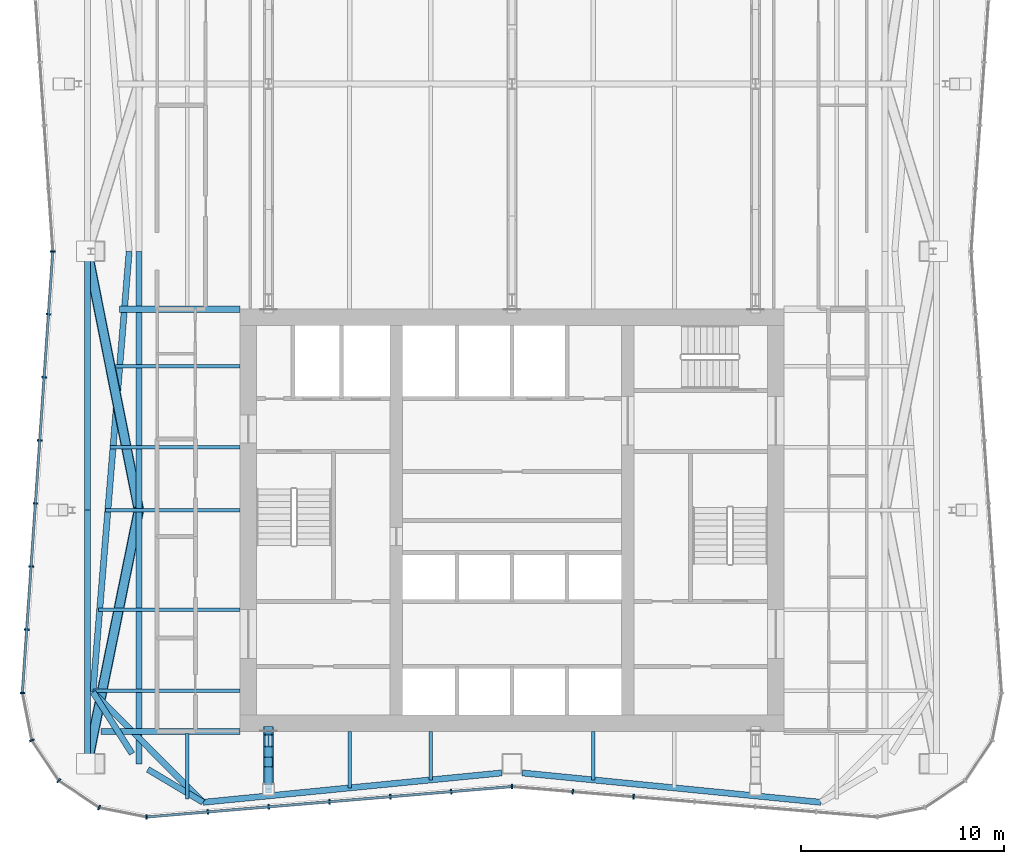
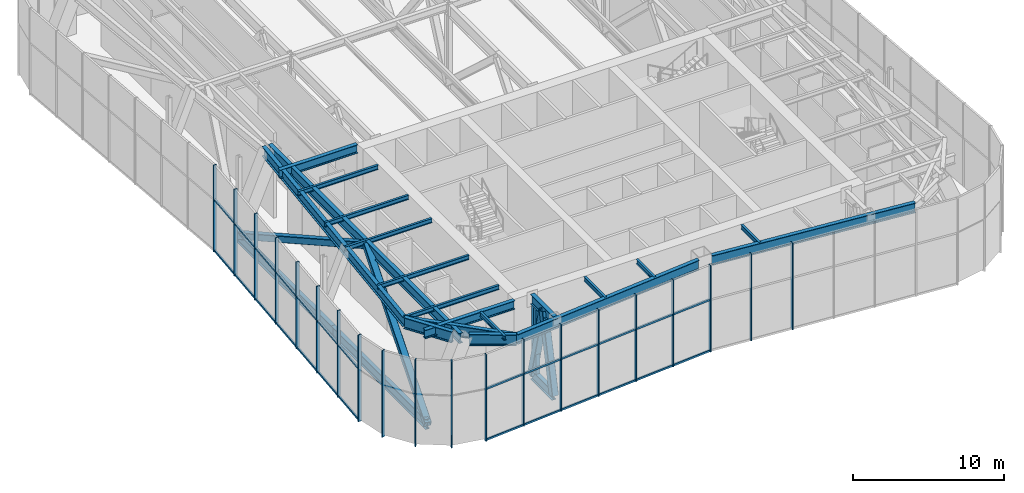
# One storey, part 5 of 17: 35 members, 17 beams, 3 elements without a shape of their own.
"""IFC4 building model written with IfcOpenShell, lengths in metres."""

from ifc_helpers import new_model, si_unit, direction, frame, origin, origin_2d, place, context, subcontext, project, spatial, rectangle, hollow_rectangle, i_section, extrude, material, material_profile, profile_set, type_object, element, aggregate, save


model = new_model("IFC4")

# Units and contexts
model_context = context("Model", 3, precision=1e-05, world=origin(), true_north=direction((0.0, 1.0)))
body_context = subcontext(model_context, "Body", "Model", "MODEL_VIEW")
ifc_project = project(units=[si_unit("LENGTHUNIT", "METRE"), si_unit("AREAUNIT", "SQUARE_METRE"), si_unit("VOLUMEUNIT", "CUBIC_METRE"), si_unit("PLANEANGLEUNIT", "RADIAN"), si_unit("MASSUNIT", "GRAM", prefix="KILO")], contexts=[model_context])

# Site, building, storey
site_placement = place(None, origin())
site = spatial("IfcSite", under=ifc_project, at=site_placement, CompositionType="ELEMENT")
building_placement = place(site_placement, origin())
building = spatial("IfcBuilding", under=site, at=building_placement, Name="Verdant Reach Tower", CompositionType="ELEMENT")
storey_placement = place(building_placement, frame((0.0, 0.0, 282.0)))
storey = spatial("IfcBuildingStorey", under=building, at=storey_placement, Name="L65 Plant", CompositionType="ELEMENT", Elevation=282.0)

# Curtain wall, members
ifc_material_1 = material(Name="Anodised aluminium", Category="aluminium")
curtain_wall_type = type_object("IfcCurtainWallType", Name="EN-CW SYSTEM PLANT", PredefinedType="NOTDEFINED", material=ifc_material_1)
curtain_wall_1_placement = place(storey_placement, origin())
curtain_wall_1 = element("IfcCurtainWall", 1, at=curtain_wall_1_placement, inside=storey, type_object=curtain_wall_type, Name="Curtain wall west, L65", PredefinedType="NOTDEFINED")
ifc_material_profile_1 = material_profile(ifc_material_1, rectangle(XDim=0.238037109375, YDim=0.080078125, at=origin_2d()), Name="Mullion 80x240")
ifc_profile_set_1 = profile_set([ifc_material_profile_1], Name="Anodised aluminium")
member_type_1 = type_object("IfcMemberType", Name="EN-MULLION PLANT", PredefinedType="MULLION", material=ifc_profile_set_1)
member_1_placement = place(storey_placement, frame((-22.618896484375, 41.25, -0.35009765625), z_axis=(0.0, 0.0, 1.0), x_axis=(-1.0, 0.0, 0.0)))
member_1 = element("IfcMember", 2, at=member_1_placement, type_object=member_type_1, Name="Mullion west face part 2 1, L65", PredefinedType="MULLION", context=body_context, shape_type="SweptSolid", body=[
    extrude(rectangle(XDim=0.238037109375, YDim=0.080078125, at=origin_2d()), origin(), (0.0, 0.0, 1.0), 7.0),
])
member_2_placement = place(storey_placement, frame((-22.8330078125, 38.151123046875, -0.35009765625), z_axis=(0.0, 0.0, 1.0), x_axis=(-0.997630328423, 0.068802091615, 0.0)))
member_2 = element("IfcMember", 3, at=member_2_placement, type_object=member_type_1, Name="Mullion west face part 2 2, L65", PredefinedType="MULLION", context=body_context, shape_type="SweptSolid", body=[
    extrude(rectangle(XDim=0.238037109375, YDim=0.080078125, at=origin_2d()), origin(), (0.0, 0.0, 1.0), 7.0),
])
member_3_placement = place(storey_placement, frame((-23.04736328125, 35.0439453125, -0.35009765625), z_axis=(0.0, 0.0, 1.0), x_axis=(-0.997630328423, 0.068802091615, 0.0)))
member_3 = element("IfcMember", 4, at=member_3_placement, type_object=member_type_1, Name="Mullion west face part 2 3, L65", PredefinedType="MULLION", context=body_context, shape_type="SweptSolid", body=[
    extrude(rectangle(XDim=0.238037109375, YDim=0.080078125, at=origin_2d()), origin(), (0.0, 0.0, 1.0), 7.0),
])
member_4_placement = place(storey_placement, frame((-23.261474609375, 31.936767578125, -0.35009765625), z_axis=(0.0, 0.0, 1.0), x_axis=(-0.997630328423, 0.068802091615, 0.0)))
member_4 = element("IfcMember", 5, at=member_4_placement, type_object=member_type_1, Name="Mullion west face part 2 4, L65", PredefinedType="MULLION", context=body_context, shape_type="SweptSolid", body=[
    extrude(rectangle(XDim=0.238037109375, YDim=0.080078125, at=origin_2d()), origin(), (0.0, 0.0, 1.0), 7.0),
])
member_5_placement = place(storey_placement, frame((-23.475830078125, 28.82958984375, -0.35009765625), z_axis=(0.0, 0.0, 1.0), x_axis=(-0.997630328423, 0.068802091615, 0.0)))
member_5 = element("IfcMember", 6, at=member_5_placement, type_object=member_type_1, Name="Mullion west face part 2 5, L65", PredefinedType="MULLION", context=body_context, shape_type="SweptSolid", body=[
    extrude(rectangle(XDim=0.238037109375, YDim=0.080078125, at=origin_2d()), origin(), (0.0, 0.0, 1.0), 7.0),
])
member_6_placement = place(storey_placement, frame((-23.690185546875, 25.722412109375, -0.35009765625), z_axis=(0.0, 0.0, 1.0), x_axis=(-0.997630328423, 0.068802091615, 0.0)))
member_6 = element("IfcMember", 7, at=member_6_placement, type_object=member_type_1, Name="Mullion west face part 2 6, L65", PredefinedType="MULLION", context=body_context, shape_type="SweptSolid", body=[
    extrude(rectangle(XDim=0.238037109375, YDim=0.080078125, at=origin_2d()), origin(), (0.0, 0.0, 1.0), 7.0),
])
member_7_placement = place(storey_placement, frame((-23.904541015625, 22.615234375, -0.35009765625), z_axis=(0.0, 0.0, 1.0), x_axis=(-0.997630328423, 0.068802091615, 0.0)))
member_7 = element("IfcMember", 8, at=member_7_placement, type_object=member_type_1, Name="Mullion west face part 2 7, L65", PredefinedType="MULLION", context=body_context, shape_type="SweptSolid", body=[
    extrude(rectangle(XDim=0.238037109375, YDim=0.080078125, at=origin_2d()), origin(), (0.0, 0.0, 1.0), 7.0),
])

curtain_wall_2_placement = place(storey_placement, origin())
curtain_wall_2 = element("IfcCurtainWall", 9, at=curtain_wall_2_placement, inside=storey, type_object=curtain_wall_type, Name="Curtain wall south-west corner, L65", PredefinedType="NOTDEFINED")
member_8_placement = place(storey_placement, frame((-24.11865234375, 19.492431640625, -0.35009765625), z_axis=(0.0, 0.0, 1.0), x_axis=(-0.997969180898, -0.063698618332, 0.0)))
member_8 = element("IfcMember", 10, at=member_8_placement, type_object=member_type_1, Name="Mullion south-west corner 1, L65", PredefinedType="MULLION", context=body_context, shape_type="SweptSolid", body=[
    extrude(rectangle(XDim=0.238037109375, YDim=0.080078125, at=origin_2d()), origin(), (0.0, 0.0, 1.0), 7.0),
])
member_9_placement = place(storey_placement, frame((-23.6533203125, 17.158447265625, -0.35009765625), z_axis=(0.0, 0.0, 1.0), x_axis=(-0.923875215753, -0.382693853776, 0.0)))
member_9 = element("IfcMember", 11, at=member_9_placement, type_object=member_type_1, Name="Mullion south-west corner 2, L65", PredefinedType="MULLION", context=body_context, shape_type="SweptSolid", body=[
    extrude(rectangle(XDim=0.238037109375, YDim=0.080078125, at=origin_2d()), origin(), (0.0, 0.0, 1.0), 7.0),
])
member_10_placement = place(storey_placement, frame((-22.32666015625, 15.17333984375, -0.35009765625), z_axis=(0.0, 0.0, 1.0), x_axis=(-0.707106781187, -0.707106781187, 0.0)))
member_10 = element("IfcMember", 12, at=member_10_placement, type_object=member_type_1, Name="Mullion south-west corner 3, L65", PredefinedType="MULLION", context=body_context, shape_type="SweptSolid", body=[
    extrude(rectangle(XDim=0.238037109375, YDim=0.080078125, at=origin_2d()), origin(), (0.0, 0.0, 1.0), 7.0),
])
member_11_placement = place(storey_placement, frame((-20.341552734375, 13.8466796875, -0.35009765625), z_axis=(0.0, 0.0, 1.0), x_axis=(-0.382693853776, -0.923875215753, 0.0)))
member_11 = element("IfcMember", 13, at=member_11_placement, type_object=member_type_1, Name="Mullion south-west corner 4, L65", PredefinedType="MULLION", context=body_context, shape_type="SweptSolid", body=[
    extrude(rectangle(XDim=0.238037109375, YDim=0.080078125, at=origin_2d()), origin(), (0.0, 0.0, 1.0), 7.0),
])
aggregate(curtain_wall_2, [member_8, member_9, member_10, member_11])

curtain_wall_3_placement = place(storey_placement, origin())
curtain_wall_3 = element("IfcCurtainWall", 14, at=curtain_wall_3_placement, inside=storey, type_object=curtain_wall_type, Name="Curtain wall south, L65", PredefinedType="NOTDEFINED")
member_12_placement = place(storey_placement, frame((-18.0068359375, 13.381103515625, -0.35009765625), z_axis=(0.0, 0.0, 1.0), x_axis=(-0.056569187765, -0.998398681387, 0.0)))
member_12 = element("IfcMember", 15, at=member_12_placement, type_object=member_type_1, Name="Mullion south face part 1 1, L65", PredefinedType="MULLION", context=body_context, shape_type="SweptSolid", body=[
    extrude(rectangle(XDim=0.238037109375, YDim=0.080078125, at=origin_2d()), origin(), (0.0, 0.0, 1.0), 7.0),
])
member_13_placement = place(storey_placement, frame((-14.990234375, 13.63134765625, -0.35009765625), z_axis=(0.0, 0.0, 1.0), x_axis=(0.083045479859, -0.996545758244, 0.0)))
member_13 = element("IfcMember", 16, at=member_13_placement, type_object=member_type_1, Name="Mullion south face part 1 2, L65", PredefinedType="MULLION", context=body_context, shape_type="SweptSolid", body=[
    extrude(rectangle(XDim=0.238037109375, YDim=0.080078125, at=origin_2d()), origin(), (0.0, 0.0, 1.0), 7.0),
])
member_14_placement = place(storey_placement, frame((-11.990234375, 13.88134765625, -0.35009765625), z_axis=(0.0, 0.0, 1.0), x_axis=(0.083045479859, -0.996545758244, 0.0)))
member_14 = element("IfcMember", 17, at=member_14_placement, type_object=member_type_1, Name="Mullion south face part 1 3, L65", PredefinedType="MULLION", context=body_context, shape_type="SweptSolid", body=[
    extrude(rectangle(XDim=0.238037109375, YDim=0.080078125, at=origin_2d()), origin(), (0.0, 0.0, 1.0), 7.0),
])
member_15_placement = place(storey_placement, frame((-8.990234375, 14.13134765625, -0.35009765625), z_axis=(0.0, 0.0, 1.0), x_axis=(0.083045479859, -0.996545758244, 0.0)))
member_15 = element("IfcMember", 18, at=member_15_placement, type_object=member_type_1, Name="Mullion south face part 1 4, L65", PredefinedType="MULLION", context=body_context, shape_type="SweptSolid", body=[
    extrude(rectangle(XDim=0.238037109375, YDim=0.080078125, at=origin_2d()), origin(), (0.0, 0.0, 1.0), 7.0),
])
member_16_placement = place(storey_placement, frame((-5.990234375, 14.38134765625, -0.35009765625), z_axis=(0.0, 0.0, 1.0), x_axis=(0.083045479859, -0.996545758244, 0.0)))
member_16 = element("IfcMember", 19, at=member_16_placement, type_object=member_type_1, Name="Mullion south face part 1 5, L65", PredefinedType="MULLION", context=body_context, shape_type="SweptSolid", body=[
    extrude(rectangle(XDim=0.238037109375, YDim=0.080078125, at=origin_2d()), origin(), (0.0, 0.0, 1.0), 7.0),
])
member_17_placement = place(storey_placement, frame((-2.990234375, 14.63134765625, -0.35009765625), z_axis=(0.0, 0.0, 1.0), x_axis=(0.083045479859, -0.996545758244, 0.0)))
member_17 = element("IfcMember", 20, at=member_17_placement, type_object=member_type_1, Name="Mullion south face part 1 6, L65", PredefinedType="MULLION", context=body_context, shape_type="SweptSolid", body=[
    extrude(rectangle(XDim=0.238037109375, YDim=0.080078125, at=origin_2d()), origin(), (0.0, 0.0, 1.0), 7.0),
])
member_18_placement = place(storey_placement, frame((0.0, 14.881103515625, -0.35009765625), z_axis=(0.0, 0.0, 1.0), x_axis=(0.0, -1.0, 0.0)))
member_18 = element("IfcMember", 21, at=member_18_placement, type_object=member_type_1, Name="Mullion south face part 2 1, L65", PredefinedType="MULLION", context=body_context, shape_type="SweptSolid", body=[
    extrude(rectangle(XDim=0.238037109375, YDim=0.080078125, at=origin_2d()), origin(), (0.0, 0.0, 1.0), 7.0),
])
member_19_placement = place(storey_placement, frame((2.990234375, 14.63134765625, -0.35009765625), z_axis=(0.0, 0.0, 1.0), x_axis=(-0.083045479859, -0.996545758244, 0.0)))
member_19 = element("IfcMember", 22, at=member_19_placement, type_object=member_type_1, Name="Mullion south face part 2 2, L65", PredefinedType="MULLION", context=body_context, shape_type="SweptSolid", body=[
    extrude(rectangle(XDim=0.238037109375, YDim=0.080078125, at=origin_2d()), origin(), (0.0, 0.0, 1.0), 7.0),
])
member_20_placement = place(storey_placement, frame((5.990234375, 14.38134765625, -0.35009765625), z_axis=(0.0, 0.0, 1.0), x_axis=(-0.083045479859, -0.996545758244, 0.0)))
member_20 = element("IfcMember", 23, at=member_20_placement, type_object=member_type_1, Name="Mullion south face part 2 3, L65", PredefinedType="MULLION", context=body_context, shape_type="SweptSolid", body=[
    extrude(rectangle(XDim=0.238037109375, YDim=0.080078125, at=origin_2d()), origin(), (0.0, 0.0, 1.0), 7.0),
])

# Member
ifc_material_profile_2 = material_profile(ifc_material_1, rectangle(XDim=0.1201171875, YDim=0.14990234375, at=origin_2d()), Name="Transom 150x120")
ifc_profile_set_2 = profile_set([ifc_material_profile_2], Name="Anodised aluminium")
member_type_2 = type_object("IfcMemberType", Name="EN-TRANSOM PLANT", PredefinedType="USERDEFINED", material=ifc_profile_set_2)
member_21_placement = place(storey_placement, frame((-22.621826171875, 41.210205078125, -0.27490234375), z_axis=(-0.068761218296, -0.997633146431, 0.0), x_axis=(0.997633146431, -0.068761218296, 0.0)))
member_21 = element("IfcMember", 24, at=member_21_placement, type_object=member_type_2, Name="Transom west face part 2 1.1, L65", ObjectType="TRANSOM", PredefinedType="USERDEFINED", context=body_context, shape_type="SweptSolid", body=[
    extrude(rectangle(XDim=0.1201171875, YDim=0.14990234375, at=origin_2d()), origin(), (0.0, 0.0, 1.0), 21.7294921875),
])

member_22_placement = place(storey_placement, frame((-22.621826171875, 41.210205078125, 3.85009765625), z_axis=(-0.068761218296, -0.997633146431, 0.0), x_axis=(0.997633146431, -0.068761218296, 0.0)))
member_22 = element("IfcMember", 25, at=member_22_placement, type_object=member_type_2, Name="Transom west face part 2 1.2, L65", ObjectType="TRANSOM", PredefinedType="USERDEFINED", context=body_context, shape_type="SweptSolid", body=[
    extrude(rectangle(XDim=0.1201171875, YDim=0.14990234375, at=origin_2d()), origin(), (0.0, 0.0, 1.0), 21.7294921875),
])

aggregate(curtain_wall_1, [member_1, member_2, member_3, member_4, member_5, member_6, member_7, member_21, member_22])

member_23_placement = place(storey_placement, frame((-17.966796875, 13.384521484375, -0.27490234375), z_axis=(0.996549220477, 0.083003922598, 0.0), x_axis=(-0.083003922598, 0.996549220477, 0.0)))
member_23 = element("IfcMember", 26, at=member_23_placement, type_object=member_type_2, Name="Transom south face part 1 1.1, L65", ObjectType="TRANSOM", PredefinedType="USERDEFINED", context=body_context, shape_type="SweptSolid", body=[
    extrude(rectangle(XDim=0.1201171875, YDim=0.14990234375, at=origin_2d()), origin(), (0.0, 0.0, 1.0), 17.989013671875),
])

member_24_placement = place(storey_placement, frame((-17.966796875, 13.384521484375, 3.85009765625), z_axis=(0.996549220477, 0.083003922598, 0.0), x_axis=(-0.083003922598, 0.996549220477, 0.0)))
member_24 = element("IfcMember", 27, at=member_24_placement, type_object=member_type_2, Name="Transom south face part 1 1.2, L65", ObjectType="TRANSOM", PredefinedType="USERDEFINED", context=body_context, shape_type="SweptSolid", body=[
    extrude(rectangle(XDim=0.1201171875, YDim=0.14990234375, at=origin_2d()), origin(), (0.0, 0.0, 1.0), 17.989013671875),
])

aggregate(curtain_wall_3, [member_12, member_13, member_14, member_15, member_16, member_17, member_23, member_24, member_18, member_19, member_20])

# Beams
ifc_material_2 = material(Name="Steel S355", Category="steel")
ifc_material_profile_3 = material_profile(ifc_material_2, i_section(OverallWidth=0.300048828125, OverallDepth=0.699951171875, WebThickness=0.01708984375, FlangeThickness=0.031982421875, FilletRadius=0.027099609375, at=origin_2d()), Name="HEB 700")
ifc_profile_set_3 = profile_set([ifc_material_profile_3], Name="Steel S355")
beam_type_1 = type_object("IfcBeamType", Name="ST-BEAM-HEB700", PredefinedType="BEAM", material=ifc_profile_set_3)
beam_1_placement = place(storey_placement, frame((-13.39990234375, 38.39990234375, 6.52001953125), z_axis=(-1.0, 0.0, 0.0), x_axis=(0.0, -1.0, 0.0)))
element("IfcBeam", 28, at=beam_1_placement, inside=storey, type_object=beam_type_1, Name="Trimmer beam, L65 Plant", PredefinedType="BEAM", context=body_context, shape_type="SweptSolid", body=[
    extrude(i_section(OverallWidth=0.300048828125, OverallDepth=0.699951171875, WebThickness=0.01708984375, FlangeThickness=0.031982421875, FilletRadius=0.027099609375, at=origin_2d()), origin(), (0.0, 0.0, 1.0), 5.9453125),
])
beam_2_placement = place(storey_placement, frame((-13.39990234375, 17.60009765625, 6.52001953125), z_axis=(-1.0, 0.0, 0.0), x_axis=(0.0, -1.0, 0.0)))
element("IfcBeam", 29, at=beam_2_placement, inside=storey, type_object=beam_type_1, Name="Trimmer beam, L65 Plant", PredefinedType="BEAM", context=body_context, shape_type="SweptSolid", body=[
    extrude(i_section(OverallWidth=0.300048828125, OverallDepth=0.699951171875, WebThickness=0.01708984375, FlangeThickness=0.031982421875, FilletRadius=0.027099609375, at=origin_2d()), origin(), (0.0, 0.0, 1.0), 6.8603515625),
])
ifc_material_profile_4 = material_profile(ifc_material_2, i_section(OverallWidth=0.302001953125, OverallDepth=0.909912109375, WebThickness=0.02099609375, FlangeThickness=0.0400390625, FilletRadius=0.030029296875, at=origin_2d()), Name="HEM 900")
ifc_profile_set_4 = profile_set([ifc_material_profile_4], Name="Steel S355")
beam_type_2 = type_object("IfcBeamType", Name="ST-BEAM-HEM900", PredefinedType="BEAM", material=ifc_profile_set_4)
beam_3_placement = place(storey_placement, frame((-17.938720703125, 15.725341796875, 6.4150390625), z_axis=(0.859088551766, -0.511826982705, 0.0), x_axis=(0.511826982705, 0.859088551766, 0.0)))
element("IfcBeam", 30, at=beam_3_placement, inside=storey, type_object=beam_type_2, Name="Column stub beam, L65 Plant", PredefinedType="BEAM", context=body_context, shape_type="SweptSolid", body=[
    extrude(i_section(OverallWidth=0.302001953125, OverallDepth=0.909912109375, WebThickness=0.02099609375, FlangeThickness=0.0400390625, FilletRadius=0.030029296875, at=origin_2d()), origin(), (0.0, 0.0, 1.0), 3.164306640625),
])
beam_4_placement = place(storey_placement, frame((-18.71728515625, 16.5, 6.4150390625), z_axis=(-0.53590069663, 0.844281021551, 0.0), x_axis=(-0.844281021551, -0.53590069663, 0.0)))
element("IfcBeam", 31, at=beam_4_placement, inside=storey, type_object=beam_type_2, Name="Column stub beam, L65 Plant", PredefinedType="BEAM", context=body_context, shape_type="SweptSolid", body=[
    extrude(i_section(OverallWidth=0.302001953125, OverallDepth=0.909912109375, WebThickness=0.02099609375, FlangeThickness=0.0400390625, FilletRadius=0.030029296875, at=origin_2d()), origin(), (0.0, 0.0, 1.0), 3.59912109375),
])
ifc_material_profile_5 = material_profile(ifc_material_2, i_section(OverallWidth=0.169921875, OverallDepth=0.360107421875, WebThickness=0.008056640625, FlangeThickness=0.0126953125, FilletRadius=0.01806640625, at=origin_2d()), Name="IPE 360")
ifc_profile_set_5 = profile_set([ifc_material_profile_5], Name="Steel S355")
beam_type_3 = type_object("IfcBeamType", Name="ST-JOIST-IPE360", PredefinedType="JOIST", material=ifc_profile_set_5)
beam_5_placement = place(storey_placement, frame((-16.0, 17.5, 6.68994140625), z_axis=(0.0, -1.0, 0.0), x_axis=(1.0, 0.0, 0.0)))
element("IfcBeam", 32, at=beam_5_placement, inside=storey, type_object=beam_type_3, Name="Floor joist, L65 Plant", PredefinedType="JOIST", context=body_context, shape_type="SweptSolid", body=[
    extrude(i_section(OverallWidth=0.169921875, OverallDepth=0.360107421875, WebThickness=0.008056640625, FlangeThickness=0.0126953125, FilletRadius=0.01806640625, at=origin_2d()), origin(), (0.0, 0.0, 1.0), 3.239013671875),
])
beam_6_placement = place(storey_placement, frame((-8.0, 17.60009765625, 6.68994140625), z_axis=(0.0, -1.0, 0.0), x_axis=(1.0, 0.0, 0.0)))
element("IfcBeam", 33, at=beam_6_placement, inside=storey, type_object=beam_type_3, Name="Floor joist, L65 Plant", PredefinedType="JOIST", context=body_context, shape_type="SweptSolid", body=[
    extrude(i_section(OverallWidth=0.169921875, OverallDepth=0.360107421875, WebThickness=0.008056640625, FlangeThickness=0.0126953125, FilletRadius=0.01806640625, at=origin_2d()), origin(), (0.0, 0.0, 1.0), 2.7841796875),
])
for number, where, z_axis, x_axis, name in (
    (34, (-4.0, 17.60009765625, 6.68994140625), (0.0, -1.0, 0.0), (1.0, 0.0, 0.0), "Floor joist, L65 Plant"),
    (35, (4.0, 17.60009765625, 6.68994140625), (0.0, -1.0, 0.0), (1.0, 0.0, 0.0), "Floor joist, L65 Plant"),
):
    element("IfcBeam", number, at=place(storey_placement, frame(where, z_axis=z_axis, x_axis=x_axis)), inside=storey, type_object=beam_type_3, Name=name, PredefinedType="JOIST", context=body_context, shape_type="SweptSolid", body=[
        extrude(i_section(OverallWidth=0.169921875, OverallDepth=0.360107421875, WebThickness=0.008056640625, FlangeThickness=0.0126953125, FilletRadius=0.01806640625, at=origin_2d()), origin(), (0.0, 0.0, 1.0), 2.390625),
    ])
beam_7_placement = place(storey_placement, frame((-13.39990234375, 19.60009765625, 6.68994140625), z_axis=(-1.0, 0.0, 0.0), x_axis=(0.0, -1.0, 0.0)))
element("IfcBeam", 36, at=beam_7_placement, inside=storey, type_object=beam_type_3, Name="Floor joist, L65 Plant", PredefinedType="JOIST", context=body_context, shape_type="SweptSolid", body=[
    extrude(i_section(OverallWidth=0.169921875, OverallDepth=0.360107421875, WebThickness=0.008056640625, FlangeThickness=0.0126953125, FilletRadius=0.01806640625, at=origin_2d()), origin(), (0.0, 0.0, 1.0), 7.24169921875),
])
beam_8_placement = place(storey_placement, frame((-13.39990234375, 23.60009765625, 6.68994140625), z_axis=(-1.0, 0.0, 0.0), x_axis=(0.0, -1.0, 0.0)))
element("IfcBeam", 37, at=beam_8_placement, inside=storey, type_object=beam_type_3, Name="Floor joist, L65 Plant", PredefinedType="JOIST", context=body_context, shape_type="SweptSolid", body=[
    extrude(i_section(OverallWidth=0.169921875, OverallDepth=0.360107421875, WebThickness=0.008056640625, FlangeThickness=0.0126953125, FilletRadius=0.01806640625, at=origin_2d()), origin(), (0.0, 0.0, 1.0), 6.9658203125),
])
beam_9_placement = place(storey_placement, frame((-13.39990234375, 28.5, 6.68994140625), z_axis=(-1.0, 0.0, 0.0), x_axis=(0.0, -1.0, 0.0)))
element("IfcBeam", 38, at=beam_9_placement, inside=storey, type_object=beam_type_3, Name="Floor joist, L65 Plant", PredefinedType="JOIST", context=body_context, shape_type="SweptSolid", body=[
    extrude(i_section(OverallWidth=0.169921875, OverallDepth=0.360107421875, WebThickness=0.008056640625, FlangeThickness=0.0126953125, FilletRadius=0.01806640625, at=origin_2d()), origin(), (0.0, 0.0, 1.0), 6.6279296875),
])
beam_10_placement = place(storey_placement, frame((-13.39990234375, 31.60009765625, 6.68994140625), z_axis=(-1.0, 0.0, 0.0), x_axis=(0.0, -1.0, 0.0)))
element("IfcBeam", 39, at=beam_10_placement, inside=storey, type_object=beam_type_3, Name="Floor joist, L65 Plant", PredefinedType="JOIST", context=body_context, shape_type="SweptSolid", body=[
    extrude(i_section(OverallWidth=0.169921875, OverallDepth=0.360107421875, WebThickness=0.008056640625, FlangeThickness=0.0126953125, FilletRadius=0.01806640625, at=origin_2d()), origin(), (0.0, 0.0, 1.0), 6.414306640625),
])
beam_11_placement = place(storey_placement, frame((-13.39990234375, 35.60009765625, 6.68994140625), z_axis=(-1.0, 0.0, 0.0), x_axis=(0.0, -1.0, 0.0)))
element("IfcBeam", 40, at=beam_11_placement, inside=storey, type_object=beam_type_3, Name="Floor joist, L65 Plant", PredefinedType="JOIST", context=body_context, shape_type="SweptSolid", body=[
    extrude(i_section(OverallWidth=0.169921875, OverallDepth=0.360107421875, WebThickness=0.008056640625, FlangeThickness=0.0126953125, FilletRadius=0.01806640625, at=origin_2d()), origin(), (0.0, 0.0, 1.0), 6.13818359375),
])
ifc_material_profile_6 = material_profile(ifc_material_2, i_section(OverallWidth=0.300048828125, OverallDepth=0.800048828125, WebThickness=0.017578125, FlangeThickness=0.032958984375, FilletRadius=0.030029296875, at=origin_2d()), Name="HEB 800")
ifc_profile_set_6 = profile_set([ifc_material_profile_6], Name="Steel S355")
beam_type_4 = type_object("IfcBeamType", Name="ST-SPANDREL-HEB800", PredefinedType="SPANDREL", material=ifc_profile_set_6)
for number, where, z_axis, x_axis, name in (
    (41, (15.22021484375, 14.105712890625, 6.469970703125), (-0.995196699129, 0.097895505731, 0.0), (-0.097895505731, -0.995196699129, 0.0), "Edge beam, L65 Plant"),
    (42, (-0.5, 15.5537109375, 6.469970703125), (-0.995196699129, -0.097895505731, 0.0), (0.097895505731, -0.995196699129, 0.0), "Edge beam, L65 Plant"),
):
    element("IfcBeam", number, at=place(storey_placement, frame(where, z_axis=z_axis, x_axis=x_axis)), inside=storey, type_object=beam_type_4, Name=name, PredefinedType="SPANDREL", context=body_context, shape_type="SweptSolid", body=[
        extrude(i_section(OverallWidth=0.300048828125, OverallDepth=0.800048828125, WebThickness=0.017578125, FlangeThickness=0.032958984375, FilletRadius=0.030029296875, at=origin_2d()), origin(), (0.0, 0.0, 1.0), 14.791259765625),
    ])
beam_12_placement = place(storey_placement, frame((-20.64599609375, 19.53857421875, 6.469970703125), z_axis=(0.08193431302, 0.996637731751, 0.0), x_axis=(-0.996637731751, 0.08193431302, 0.0)))
element("IfcBeam", 43, at=beam_12_placement, inside=storey, type_object=beam_type_4, Name="Edge beam, L65 Plant", PredefinedType="SPANDREL", context=body_context, shape_type="SweptSolid", body=[
    extrude(i_section(OverallWidth=0.300048828125, OverallDepth=0.800048828125, WebThickness=0.017578125, FlangeThickness=0.032958984375, FilletRadius=0.030029296875, at=origin_2d()), origin(), (0.0, 0.0, 1.0), 21.78466796875),
])
ifc_material_profile_7 = material_profile(ifc_material_2, i_section(OverallWidth=0.302001953125, OverallDepth=0.909912109375, WebThickness=0.02099609375, FlangeThickness=0.0400390625, FilletRadius=0.030029296875, at=origin_2d()), Name="HEM 900")
ifc_profile_set_7 = profile_set([ifc_material_profile_7], Name="Steel S355")
beam_type_5 = type_object("IfcBeamType", Name="ST-SPANDREL-HEM900", PredefinedType="SPANDREL", material=ifc_profile_set_7)
beam_13_placement = place(storey_placement, frame((-15.22021484375, 14.105712890625, 6.4150390625), z_axis=(-0.706645581521, 0.707567680237, 0.0), x_axis=(-0.707567680237, -0.706645581521, 0.0)))
element("IfcBeam", 44, at=beam_13_placement, inside=storey, type_object=beam_type_5, Name="Edge beam, L65 Plant", PredefinedType="SPANDREL", context=body_context, shape_type="SweptSolid", body=[
    extrude(i_section(OverallWidth=0.302001953125, OverallDepth=0.909912109375, WebThickness=0.02099609375, FlangeThickness=0.0400390625, FilletRadius=0.030029296875, at=origin_2d()), origin(), (0.0, 0.0, 1.0), 7.67822265625),
])

# Members
ifc_material_3 = material(Name="Steel S460", Category="steel")
ifc_material_profile_8 = material_profile(ifc_material_3, hollow_rectangle(XDim=0.5, YDim=0.5, WallThickness=0.02490234375, InnerFilletRadius=0.02490234375, OuterFilletRadius=0.050048828125, at=origin_2d()), Name="RHS 500x500x25")
ifc_profile_set_8 = profile_set([ifc_material_profile_8], Name="Steel S460")
member_type_3 = type_object("IfcMemberType", Name="ST-TRUSS-BRACE-RHS500x500x25", PredefinedType="BRACE", material=ifc_profile_set_8)
member_25_placement = place(storey_placement, frame((-12.0, 17.60009765625, 0.406982421875), z_axis=(0.0, -0.24241598658, 0.970172401922), x_axis=(1.0, 0.0, 0.0)))
element("IfcMember", 45, at=member_25_placement, inside=storey, type_object=member_type_3, Name="Belt truss C south, diagonal, L65 Plant", PredefinedType="BRACE", context=body_context, shape_type="SweptSolid", body=[
    extrude(hollow_rectangle(XDim=0.5, YDim=0.5, WallThickness=0.02490234375, InnerFilletRadius=0.02490234375, OuterFilletRadius=0.050048828125, at=origin_2d()), origin(), (0.0, 0.0, 1.0), 6.2421875),
])
member_26_placement = place(storey_placement, frame((-12.0, 16.0869140625, 6.462890625), z_axis=(0.0, -0.21560894255, -0.97647979185), x_axis=(1.0, 0.0, 0.0)))
element("IfcMember", 46, at=member_26_placement, inside=storey, type_object=member_type_3, Name="Belt truss C south, diagonal, L65 Plant", PredefinedType="BRACE", context=body_context, shape_type="SweptSolid", body=[
    extrude(hollow_rectangle(XDim=0.5, YDim=0.5, WallThickness=0.02490234375, InnerFilletRadius=0.02490234375, OuterFilletRadius=0.050048828125, at=origin_2d()), origin(), (0.0, 0.0, 1.0), 6.20166015625),
])
member_27_placement = place(storey_placement, frame((-20.922607421875, 16.0, 0.406982421875), z_axis=(0.179939002039, 0.885257701971, 0.42888315034), x_axis=(-0.979961175008, 0.19918859274, 0.0)))
element("IfcMember", 47, at=member_27_placement, inside=storey, type_object=member_type_3, Name="Belt truss B west, diagonal, L65 Plant", PredefinedType="BRACE", context=body_context, shape_type="SweptSolid", body=[
    extrude(hollow_rectangle(XDim=0.5, YDim=0.5, WallThickness=0.02490234375, InnerFilletRadius=0.02490234375, OuterFilletRadius=0.050048828125, at=origin_2d()), origin(), (0.0, 0.0, 1.0), 14.1201171875),
])
member_28_placement = place(storey_placement, frame((-18.3818359375, 28.5, 6.462890625), z_axis=(-0.177156405456, 0.888999338764, -0.422250853976), x_axis=(-0.980716947369, -0.1954335415, 0.0)))
element("IfcMember", 48, at=member_28_placement, inside=storey, type_object=member_type_3, Name="Belt truss B west, diagonal, L65 Plant", PredefinedType="BRACE", context=body_context, shape_type="SweptSolid", body=[
    extrude(hollow_rectangle(XDim=0.5, YDim=0.5, WallThickness=0.02490234375, InnerFilletRadius=0.02490234375, OuterFilletRadius=0.050048828125, at=origin_2d()), origin(), (0.0, 0.0, 1.0), 14.342041015625),
])
ifc_material_profile_9 = material_profile(ifc_material_3, i_section(OverallWidth=0.302978515625, OverallDepth=0.81396484375, WebThickness=0.02099609375, FlangeThickness=0.0400390625, FilletRadius=0.030029296875, at=origin_2d()), Name="HEM 800")
ifc_profile_set_9 = profile_set([ifc_material_profile_9], Name="Steel S460")
member_type_4 = type_object("IfcMemberType", Name="ST-TRUSS-CHORD-HEM800", PredefinedType="CHORD", material=ifc_profile_set_9)
member_29_placement = place(storey_placement, frame((-12.0, 17.60009765625, 6.462890625), z_axis=(0.0, -1.0, 0.0), x_axis=(1.0, 0.0, 0.0)))
element("IfcMember", 49, at=member_29_placement, inside=storey, type_object=member_type_4, Name="Belt truss C south, top chord, L65 Plant", PredefinedType="CHORD", context=body_context, shape_type="SweptSolid", body=[
    extrude(i_section(OverallWidth=0.302978515625, OverallDepth=0.81396484375, WebThickness=0.02099609375, FlangeThickness=0.0400390625, FilletRadius=0.030029296875, at=origin_2d()), origin(), (0.0, 0.0, 1.0), 3.0263671875),
])
member_30_placement = place(storey_placement, frame((-12.0, 17.60009765625, 0.406982421875), z_axis=(0.0, -1.0, 0.0), x_axis=(1.0, 0.0, 0.0)))
element("IfcMember", 50, at=member_30_placement, inside=storey, type_object=member_type_4, Name="Belt truss C south, bottom chord, L65 Plant", PredefinedType="CHORD", context=body_context, shape_type="SweptSolid", body=[
    extrude(i_section(OverallWidth=0.302978515625, OverallDepth=0.81396484375, WebThickness=0.02099609375, FlangeThickness=0.0400390625, FilletRadius=0.030029296875, at=origin_2d()), origin(), (0.0, 0.0, 1.0), 2.850341796875),
])
for number, where, z_axis, x_axis, name in (
    (51, (-18.3818359375, 16.0, 6.462890625), (0.0, 1.0, 0.0), (-1.0, 0.0, 0.0), "Belt truss B west, top chord, L65 Plant"),
    (52, (-20.922607421875, 16.0, 0.406982421875), (0.0, 1.0, 0.0), (-1.0, 0.0, 0.0), "Belt truss B west, bottom chord, L65 Plant"),
):
    element("IfcMember", number, at=place(storey_placement, frame(where, z_axis=z_axis, x_axis=x_axis)), inside=storey, type_object=member_type_4, Name=name, PredefinedType="CHORD", context=body_context, shape_type="SweptSolid", body=[
        extrude(i_section(OverallWidth=0.302978515625, OverallDepth=0.81396484375, WebThickness=0.02099609375, FlangeThickness=0.0400390625, FilletRadius=0.030029296875, at=origin_2d()), origin(), (0.0, 0.0, 1.0), 12.5),
    ])
for number, where, z_axis, x_axis, name in (
    (53, (-18.3818359375, 28.5, 6.462890625), (0.0, 1.0, 0.0), (-1.0, 0.0, 0.0), "Belt truss B west, top chord, L65 Plant"),
    (54, (-20.922607421875, 28.5, 0.406982421875), (0.0, 1.0, 0.0), (-1.0, 0.0, 0.0), "Belt truss B west, bottom chord, L65 Plant"),
):
    element("IfcMember", number, at=place(storey_placement, frame(where, z_axis=z_axis, x_axis=x_axis)), inside=storey, type_object=member_type_4, Name=name, PredefinedType="CHORD", context=body_context, shape_type="SweptSolid", body=[
        extrude(i_section(OverallWidth=0.302978515625, OverallDepth=0.81396484375, WebThickness=0.02099609375, FlangeThickness=0.0400390625, FilletRadius=0.030029296875, at=origin_2d()), origin(), (0.0, 0.0, 1.0), 12.75),
    ])
ifc_material_profile_10 = material_profile(ifc_material_3, i_section(OverallWidth=0.304931640625, OverallDepth=0.6201171875, WebThickness=0.02099609375, FlangeThickness=0.0400390625, FilletRadius=0.027099609375, at=origin_2d()), Name="HEM 600")
ifc_profile_set_10 = profile_set([ifc_material_profile_10], Name="Steel S460")
member_type_5 = type_object("IfcMemberType", Name="ST-TRUSS-POST-HEM600", PredefinedType="POST", material=ifc_profile_set_10)
member_31_placement = place(storey_placement, frame((-12.0, 17.14990234375, 0.833984375), z_axis=(0.0, 0.0, 1.0), x_axis=(1.0, 0.0, 0.0)))
element("IfcMember", 55, at=member_31_placement, inside=storey, type_object=member_type_5, Name="Belt truss C south, end post, L65 Plant", PredefinedType="POST", context=body_context, shape_type="SweptSolid", body=[
    extrude(i_section(OverallWidth=0.304931640625, OverallDepth=0.6201171875, WebThickness=0.02099609375, FlangeThickness=0.0400390625, FilletRadius=0.027099609375, at=origin_2d()), origin(), (0.0, 0.0, 1.0), 5.201904296875),
])

save(model, "model.ifc")
